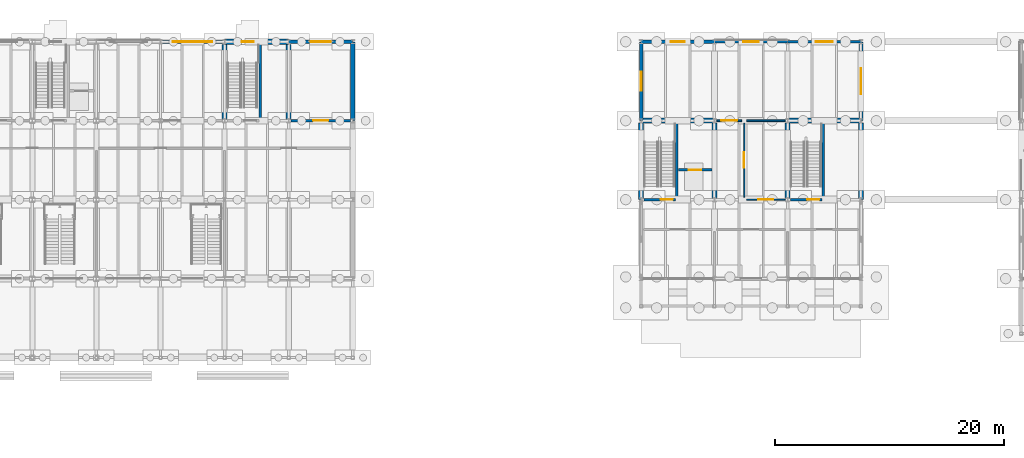
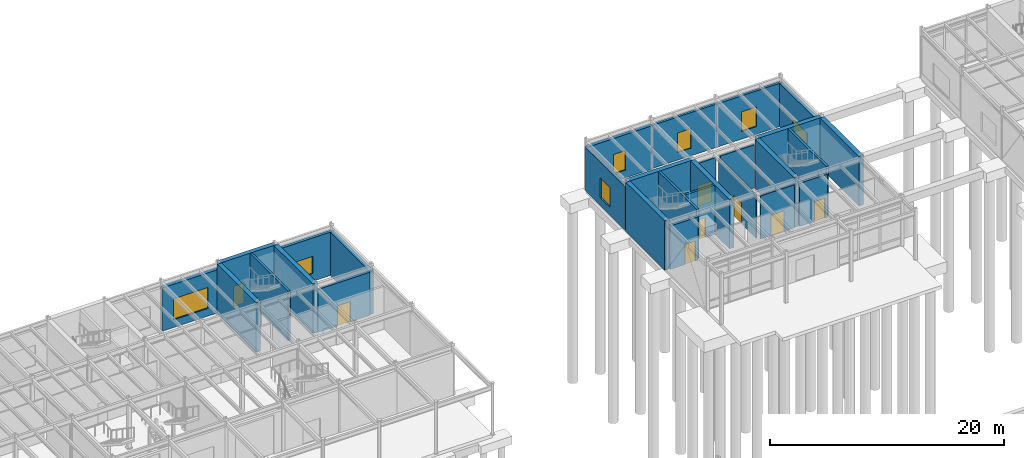
# One storey, part 72 of 82: 28 walls, 8 doors, 7 windows, 15 openings.
"""IFC4 building model written with IfcOpenShell, lengths in metres."""

from ifc_helpers import new_model, si_unit, direction, frame, frame_2d, origin, place, context, subcontext, project, spatial, rectangle, extrude, material, layer, layer_set, type_object, element, fill, save


model = new_model("IFC4")

# Units and contexts
model_context = context("Model", 3, precision=1e-05, world=origin(), true_north=direction((0.0, 1.0)))
body_context = subcontext(model_context, "Body", "Model", "MODEL_VIEW")
ifc_project = project(units=[si_unit("LENGTHUNIT", "METRE"), si_unit("AREAUNIT", "SQUARE_METRE"), si_unit("VOLUMEUNIT", "CUBIC_METRE"), si_unit("PLANEANGLEUNIT", "RADIAN"), si_unit("MASSUNIT", "GRAM", prefix="KILO")], contexts=[model_context])

# Site, building, storey
site_placement = place(None, origin())
site = spatial("IfcSite", under=ifc_project, at=site_placement, CompositionType="ELEMENT")
building_placement = place(site_placement, origin())
building = spatial("IfcBuilding", under=site, at=building_placement, Name="Trelmorton Wharf Fire Station", CompositionType="ELEMENT")
storey_placement = place(building_placement, origin())
storey = spatial("IfcBuildingStorey", under=building, at=storey_placement, Name="L00", CompositionType="ELEMENT", Elevation=0.0)

# Wall, opening, window
ifc_material_1 = material(Name="Precast concrete 45 MPa", Category="concrete")
ifc_layer_1 = layer(ifc_material_1, 0.22998046875)
ifc_layer_set_1 = layer_set([ifc_layer_1], Name="Precast concrete 45 MPa")
wall_type_1 = type_object("IfcWallType", Name="EW_PREC_230", PredefinedType="SOLIDWALL", material=ifc_layer_set_1)
wall_1_placement = place(storey_placement, frame((77.205078125, 81.0, 0.0), z_axis=(0.0, 0.0, 1.0), x_axis=(1.0, 0.0, 0.0)))
wall_1 = element("IfcWall", 1, at=wall_1_placement, inside=storey, type_object=wall_type_1, Name="EW-V2-L00-0156", PredefinedType="SOLIDWALL", context=body_context, shape_type="SweptSolid", body=[
    extrude(rectangle(XDim=6.389892578125, YDim=0.22998046875, at=frame_2d((3.19482421875, 0.0))), origin(), (0.0, 0.0, 1.0), 4.52001953125),
])
opening_1_placement = place(wall_1_placement, frame((2.52001953125, 0.0, 0.800048828125)))
opening_1 = element("IfcOpeningElement", 2, at=opening_1_placement, cuts=wall_1, Name="Opening W22", PredefinedType="OPENING", context=body_context, shape_type="SweptSolid", body=[
    extrude(rectangle(XDim=1.35009765625, YDim=2.050048828125, at=frame_2d((0.675048828125, 1.02490234375))), frame((0.0, 0.125, 0.0), z_axis=(0.0, -1.0, 0.0), x_axis=(1.0, 0.0, 0.0)), (0.0, 0.0, 1.0), 0.25),
])
ifc_material_2 = material(Name="Tempered low-E double glazing", Category="glass")
window_type_1 = type_object("IfcWindowType", Name="WIN_W22", PartitioningType="SINGLE_PANEL", PredefinedType="WINDOW", material=ifc_material_2)
window_1_placement = place(opening_1_placement, origin())
window_1 = element("IfcWindow", 3, at=window_1_placement, inside=storey, type_object=window_type_1, Name="WN-V2-L00-0084", OverallHeight=2.050048828125, OverallWidth=1.35009765625, PartitioningType="SINGLE_PANEL", PredefinedType="WINDOW", context=body_context, shape_type="SweptSolid", body=[
    extrude(rectangle(XDim=1.35009765625, YDim=2.050048828125, at=frame_2d((0.675048828125, 1.02490234375))), frame((0.0, 0.030029296875, 0.0), z_axis=(0.0, -1.0, 0.0), x_axis=(1.0, 0.0, 0.0)), (0.0, 0.0, 1.0), 0.06005859375),
])
fill(opening_1, window_1)

ifc_layer_2 = layer(ifc_material_1, 0.25)
ifc_layer_set_2 = layer_set([ifc_layer_2], Name="Precast concrete 45 MPa")
wall_type_2 = type_object("IfcWallType", Name="EW_PREC_250", PredefinedType="SOLIDWALL", material=ifc_layer_set_2)
wall_2_placement = place(storey_placement, frame((83.60498046875, 81.0, 0.0), z_axis=(0.0, 0.0, 1.0), x_axis=(1.0, 0.0, 0.0)))
wall_2 = element("IfcWall", 4, at=wall_2_placement, inside=storey, type_object=wall_type_2, Name="EW-V2-L00-0157", PredefinedType="SOLIDWALL", context=body_context, shape_type="SweptSolid", body=[
    extrude(rectangle(XDim=6.39013671875, YDim=0.25, at=frame_2d((3.195068359375, 0.0))), origin(), (0.0, 0.0, 1.0), 4.52001953125),
])
opening_2_placement = place(wall_2_placement, frame((2.445068359375, 0.0, 0.800048828125)))
opening_2 = element("IfcOpeningElement", 5, at=opening_2_placement, cuts=wall_2, Name="Opening W23", PredefinedType="OPENING", context=body_context, shape_type="SweptSolid", body=[
    extrude(rectangle(XDim=1.5, YDim=2.050048828125, at=frame_2d((0.75, 1.02490234375))), frame((0.0, 0.135009765625, 0.0), z_axis=(0.0, -1.0, 0.0), x_axis=(1.0, 0.0, 0.0)), (0.0, 0.0, 1.0), 0.27001953125),
])
window_type_2 = type_object("IfcWindowType", Name="WIN_W23", PartitioningType="SINGLE_PANEL", PredefinedType="WINDOW", material=ifc_material_2)
window_2_placement = place(opening_2_placement, origin())
window_2 = element("IfcWindow", 6, at=window_2_placement, inside=storey, type_object=window_type_2, Name="WN-V2-L00-0085", OverallHeight=2.050048828125, OverallWidth=1.5, PartitioningType="SINGLE_PANEL", PredefinedType="WINDOW", context=body_context, shape_type="SweptSolid", body=[
    extrude(rectangle(XDim=1.5, YDim=2.050048828125, at=frame_2d((0.75, 1.02490234375))), frame((0.0, 0.030029296875, 0.0), z_axis=(0.0, -1.0, 0.0), x_axis=(1.0, 0.0, 0.0)), (0.0, 0.0, 1.0), 0.06005859375),
])
fill(opening_2, window_2)

ifc_layer_3 = layer(ifc_material_1, 0.27001953125)
ifc_layer_set_3 = layer_set([ifc_layer_3], Name="Precast concrete 45 MPa")
wall_type_3 = type_object("IfcWallType", Name="EW_PREC_270", PredefinedType="SOLIDWALL", material=ifc_layer_set_3)
wall_3_placement = place(storey_placement, frame((40.0048828125, 81.0, 0.0), z_axis=(0.0, 0.0, 1.0), x_axis=(1.0, 0.0, 0.0)))
wall_3 = element("IfcWall", 7, at=wall_3_placement, inside=storey, type_object=wall_type_3, Name="EW-V6-L00-0134", PredefinedType="SOLIDWALL", context=body_context, shape_type="SweptSolid", body=[
    extrude(rectangle(XDim=5.590087890625, YDim=0.27001953125, at=frame_2d((2.794921875, 0.0))), origin(), (0.0, 0.0, 1.0), 4.52001953125),
])
opening_3_placement = place(wall_3_placement, frame((1.919921875, 0.0, 0.800048828125)))
opening_3 = element("IfcOpeningElement", 8, at=opening_3_placement, cuts=wall_3, Name="Opening W09", PredefinedType="OPENING", context=body_context, shape_type="SweptSolid", body=[
    extrude(rectangle(XDim=1.75, YDim=1.800048828125, at=frame_2d((0.875, 0.89990234375))), frame((0.0, 0.14501953125, 0.0), z_axis=(0.0, -1.0, 0.0), x_axis=(1.0, 0.0, 0.0)), (0.0, 0.0, 1.0), 0.2900390625),
])
window_type_3 = type_object("IfcWindowType", Name="WIN_W09", PartitioningType="DOUBLE_PANEL_VERTICAL", PredefinedType="WINDOW", material=ifc_material_2)
window_3_placement = place(opening_3_placement, origin())
window_3 = element("IfcWindow", 9, at=window_3_placement, inside=storey, type_object=window_type_3, Name="WN-V6-L00-0071", OverallHeight=1.800048828125, OverallWidth=1.75, PartitioningType="DOUBLE_PANEL_VERTICAL", PredefinedType="WINDOW", context=body_context, shape_type="SweptSolid", body=[
    extrude(rectangle(XDim=1.75, YDim=1.800048828125, at=frame_2d((0.875, 0.89990234375))), frame((0.0, 0.030029296875, 0.0), z_axis=(0.0, -1.0, 0.0), x_axis=(1.0, 0.0, 0.0)), (0.0, 0.0, 1.0), 0.06005859375),
])
fill(opening_3, window_3)

# Wall
ifc_material_3 = material(Name="Clay brickwork masonry", Category="masonry")
ifc_layer_4 = layer(ifc_material_3, 0.3798828125)
ifc_layer_set_4 = layer_set([ifc_layer_4], Name="Clay brickwork masonry")
wall_type_4 = type_object("IfcWallType", Name="EW_SMOK_380", PredefinedType="SOLIDWALL", material=ifc_layer_set_4)
wall_4_placement = place(storey_placement, frame((45.60009765625, 80.9951171875, 0.0), z_axis=(0.0, 0.0, 1.0), x_axis=(0.0, -1.0, 0.0)))
element("IfcWall", 10, at=wall_4_placement, inside=storey, type_object=wall_type_4, Name="EW-V6-L00-0140", PredefinedType="SOLIDWALL", context=body_context, shape_type="SweptSolid", body=[
    extrude(rectangle(XDim=6.89013671875, YDim=0.3798828125, at=frame_2d((3.445068359375, 0.0))), origin(), (0.0, 0.0, 1.0), 4.52001953125),
])

# Wall, opening, window
ifc_layer_5 = layer(ifc_material_1, 0.31005859375)
ifc_layer_set_5 = layer_set([ifc_layer_5], Name="Precast concrete 45 MPa")
wall_type_5 = type_object("IfcWallType", Name="EW_TERR_310", PredefinedType="SOLIDWALL", material=ifc_layer_set_5)
wall_5_placement = place(storey_placement, frame((70.804931640625, 81.0, 0.0), z_axis=(0.0, 0.0, 1.0), x_axis=(1.0, 0.0, 0.0)))
wall_5 = element("IfcWall", 11, at=wall_5_placement, inside=storey, type_object=wall_type_5, Name="EW-V2-L00-0154", PredefinedType="SOLIDWALL", context=body_context, shape_type="SweptSolid", body=[
    extrude(rectangle(XDim=6.39013671875, YDim=0.31005859375, at=frame_2d((3.195068359375, 0.0))), origin(), (0.0, 0.0, 1.0), 4.52001953125),
])
opening_4_placement = place(wall_5_placement, frame((2.594970703125, 0.0, 0.800048828125)))
opening_4 = element("IfcOpeningElement", 12, at=opening_4_placement, cuts=wall_5, Name="Opening W21", PredefinedType="OPENING", context=body_context, shape_type="SweptSolid", body=[
    extrude(rectangle(XDim=1.199951171875, YDim=2.050048828125, at=frame_2d((0.60009765625, 1.02490234375))), frame((0.0, 0.1650390625, 0.0), z_axis=(0.0, -1.0, 0.0), x_axis=(1.0, 0.0, 0.0)), (0.0, 0.0, 1.0), 0.330078125),
])
window_type_4 = type_object("IfcWindowType", Name="WIN_W21", PartitioningType="SINGLE_PANEL", PredefinedType="WINDOW", material=ifc_material_2)
window_4_placement = place(opening_4_placement, origin())
window_4 = element("IfcWindow", 13, at=window_4_placement, inside=storey, type_object=window_type_4, Name="WN-V2-L00-0083", OverallHeight=2.050048828125, OverallWidth=1.199951171875, PartitioningType="SINGLE_PANEL", PredefinedType="WINDOW", context=body_context, shape_type="SweptSolid", body=[
    extrude(rectangle(XDim=1.199951171875, YDim=2.050048828125, at=frame_2d((0.60009765625, 1.02490234375))), frame((0.0, 0.030029296875, 0.0), z_axis=(0.0, -1.0, 0.0), x_axis=(1.0, 0.0, 0.0)), (0.0, 0.0, 1.0), 0.06005859375),
])
fill(opening_4, window_4)

wall_6_placement = place(storey_placement, frame((70.800048828125, 74.10498046875, 0.0), z_axis=(0.0, 0.0, 1.0), x_axis=(0.0, 1.0, 0.0)))
wall_6 = element("IfcWall", 14, at=wall_6_placement, inside=storey, type_object=wall_type_5, Name="EW-V2-L00-0160", PredefinedType="SOLIDWALL", context=body_context, shape_type="SweptSolid", body=[
    extrude(rectangle(XDim=6.89013671875, YDim=0.31005859375, at=frame_2d((3.445068359375, 0.0))), origin(), (0.0, 0.0, 1.0), 4.52001953125),
])
opening_5_placement = place(wall_6_placement, frame((2.6201171875, 0.0, 0.800048828125)))
opening_5 = element("IfcOpeningElement", 15, at=opening_5_placement, cuts=wall_6, Name="Opening W24", PredefinedType="OPENING", context=body_context, shape_type="SweptSolid", body=[
    extrude(rectangle(XDim=1.64990234375, YDim=2.050048828125, at=frame_2d((0.824951171875, 1.02490234375))), frame((0.0, 0.1650390625, 0.0), z_axis=(0.0, -1.0, 0.0), x_axis=(1.0, 0.0, 0.0)), (0.0, 0.0, 1.0), 0.330078125),
])
window_type_5 = type_object("IfcWindowType", Name="WIN_W24", PartitioningType="DOUBLE_PANEL_VERTICAL", PredefinedType="WINDOW", material=ifc_material_2)
window_5_placement = place(opening_5_placement, origin())
window_5 = element("IfcWindow", 16, at=window_5_placement, inside=storey, type_object=window_type_5, Name="WN-V2-L00-0086", OverallHeight=2.050048828125, OverallWidth=1.64990234375, PartitioningType="DOUBLE_PANEL_VERTICAL", PredefinedType="WINDOW", context=body_context, shape_type="SweptSolid", body=[
    extrude(rectangle(XDim=1.64990234375, YDim=2.050048828125, at=frame_2d((0.824951171875, 1.02490234375))), frame((0.0, 0.030029296875, 0.0), z_axis=(0.0, -1.0, 0.0), x_axis=(1.0, 0.0, 0.0)), (0.0, 0.0, 1.0), 0.06005859375),
])
fill(opening_5, window_5)

ifc_layer_6 = layer(ifc_material_1, 0.330078125)
ifc_layer_set_6 = layer_set([ifc_layer_6], Name="Precast concrete 45 MPa")
wall_type_6 = type_object("IfcWallType", Name="EW_TERR_330", PredefinedType="SOLIDWALL", material=ifc_layer_set_6)
wall_7_placement = place(storey_placement, frame((28.804931640625, 81.0, 0.0), z_axis=(0.0, 0.0, 1.0), x_axis=(1.0, 0.0, 0.0)))
wall_7 = element("IfcWall", 17, at=wall_7_placement, inside=storey, type_object=wall_type_6, Name="EW-V6-L00-0131", PredefinedType="SOLIDWALL", context=body_context, shape_type="SweptSolid", body=[
    extrude(rectangle(XDim=5.590087890625, YDim=0.330078125, at=frame_2d((2.794921875, 0.0))), origin(), (0.0, 0.0, 1.0), 4.52001953125),
])
opening_6_placement = place(wall_7_placement, frame((1.070068359375, 0.0, 0.800048828125)))
opening_6 = element("IfcOpeningElement", 18, at=opening_6_placement, cuts=wall_7, Name="Opening W08", PredefinedType="OPENING", context=body_context, shape_type="SweptSolid", body=[
    extrude(rectangle(XDim=3.449951171875, YDim=2.199951171875, at=frame_2d((1.72509765625, 1.10009765625))), frame((0.0, 0.175048828125, 0.0), z_axis=(0.0, -1.0, 0.0), x_axis=(1.0, 0.0, 0.0)), (0.0, 0.0, 1.0), 0.35009765625),
])
window_type_6 = type_object("IfcWindowType", Name="WIN_W08", PartitioningType="TRIPLE_PANEL_VERTICAL", PredefinedType="WINDOW", material=ifc_material_2)
window_6_placement = place(opening_6_placement, origin())
window_6 = element("IfcWindow", 19, at=window_6_placement, inside=storey, type_object=window_type_6, Name="WN-V6-L00-0070", OverallHeight=2.199951171875, OverallWidth=3.449951171875, PartitioningType="TRIPLE_PANEL_VERTICAL", PredefinedType="WINDOW", context=body_context, shape_type="SweptSolid", body=[
    extrude(rectangle(XDim=3.449951171875, YDim=2.199951171875, at=frame_2d((1.72509765625, 1.10009765625))), frame((0.0, 0.030029296875, 0.0), z_axis=(0.0, -1.0, 0.0), x_axis=(1.0, 0.0, 0.0)), (0.0, 0.0, 1.0), 0.06005859375),
])
fill(opening_6, window_6)

wall_8_placement = place(storey_placement, frame((90.0, 80.9951171875, 0.0), z_axis=(0.0, 0.0, 1.0), x_axis=(0.0, -1.0, 0.0)))
wall_8 = element("IfcWall", 20, at=wall_8_placement, inside=storey, type_object=wall_type_6, Name="EW-V2-L00-0161", PredefinedType="SOLIDWALL", context=body_context, shape_type="SweptSolid", body=[
    extrude(rectangle(XDim=6.89013671875, YDim=0.330078125, at=frame_2d((3.445068359375, 0.0))), origin(), (0.0, 0.0, 1.0), 4.52001953125),
])
opening_7_placement = place(wall_8_placement, frame((2.294921875, 0.0, 0.800048828125)))
opening_7 = element("IfcOpeningElement", 21, at=opening_7_placement, cuts=wall_8, Name="Opening W25", PredefinedType="OPENING", context=body_context, shape_type="SweptSolid", body=[
    extrude(rectangle(XDim=2.300048828125, YDim=1.14990234375, at=frame_2d((1.14990234375, 0.574951171875))), frame((0.0, 0.175048828125, 0.0), z_axis=(0.0, -1.0, 0.0), x_axis=(1.0, 0.0, 0.0)), (0.0, 0.0, 1.0), 0.35009765625),
])
window_type_7 = type_object("IfcWindowType", Name="WIN_W25", PartitioningType="DOUBLE_PANEL_VERTICAL", PredefinedType="WINDOW", material=ifc_material_2)
window_7_placement = place(opening_7_placement, origin())
window_7 = element("IfcWindow", 22, at=window_7_placement, inside=storey, type_object=window_type_7, Name="WN-V2-L00-0087", OverallHeight=1.14990234375, OverallWidth=2.300048828125, PartitioningType="DOUBLE_PANEL_VERTICAL", PredefinedType="WINDOW", context=body_context, shape_type="SweptSolid", body=[
    extrude(rectangle(XDim=2.300048828125, YDim=1.14990234375, at=frame_2d((1.14990234375, 0.574951171875))), frame((0.0, 0.030029296875, 0.0), z_axis=(0.0, -1.0, 0.0), x_axis=(1.0, 0.0, 0.0)), (0.0, 0.0, 1.0), 0.06005859375),
])
fill(opening_7, window_7)

# Wall
ifc_material_4 = material(Name="Gypsum plasterboard partition")
ifc_layer_7 = layer(ifc_material_4, 0.14990234375)
ifc_layer_set_7 = layer_set([ifc_layer_7], Name="Gypsum plasterboard partition")
wall_type_7 = type_object("IfcWallType", Name="IW_ACOU_150", PredefinedType="PARTITIONING", material=ifc_layer_set_7)
wall_9_placement = place(storey_placement, frame((80.02001953125, 74.10009765625, 0.0), z_axis=(0.0, 0.0, 1.0), x_axis=(1.0, 0.0, 0.0)))
element("IfcWall", 23, at=wall_9_placement, inside=storey, type_object=wall_type_7, Name="IW-L00-0051", PredefinedType="PARTITIONING", context=body_context, shape_type="SweptSolid", body=[
    extrude(rectangle(XDim=3.35986328125, YDim=0.14990234375, at=frame_2d((1.679931640625, 0.0))), origin(), (0.0, 0.0, 1.0), 4.5),
])

# Wall, opening, door
ifc_layer_8 = layer(ifc_material_4, 0.159912109375)
ifc_layer_set_8 = layer_set([ifc_layer_8], Name="Gypsum plasterboard partition")
wall_type_8 = type_object("IfcWallType", Name="IW_ACOU_160", PredefinedType="PARTITIONING", material=ifc_layer_set_8)
wall_10_placement = place(storey_placement, frame((77.419921875, 74.10009765625, 0.0), z_axis=(0.0, 0.0, 1.0), x_axis=(1.0, 0.0, 0.0)))
wall_10 = element("IfcWall", 24, at=wall_10_placement, inside=storey, type_object=wall_type_8, Name="IW-L00-0050", PredefinedType="PARTITIONING", context=body_context, shape_type="SweptSolid", body=[
    extrude(rectangle(XDim=2.16015625, YDim=0.159912109375, at=frame_2d((1.080078125, 0.0))), origin(), (0.0, 0.0, 1.0), 4.5),
])
opening_8_placement = place(wall_10_placement, frame((0.3701171875, 0.0, 0.0)))
opening_8 = element("IfcOpeningElement", 25, at=opening_8_placement, cuts=wall_10, Name="Opening D-035", PredefinedType="OPENING", context=body_context, shape_type="SweptSolid", body=[
    extrude(rectangle(XDim=1.419921875, YDim=2.14990234375, at=frame_2d((0.7099609375, 1.074951171875))), frame((0.0, 0.08984375, 0.0), z_axis=(0.0, -1.0, 0.0), x_axis=(1.0, 0.0, 0.0)), (0.0, 0.0, 1.0), 0.179931640625),
])
ifc_material_5 = material(Name="Acoustic timber panelling", Category="wood")
door_type_1 = type_object("IfcDoorType", Name="DR_INT_142", OperationType="DOUBLE_DOOR_SINGLE_SWING", PredefinedType="DOOR", material=ifc_material_5)
door_1_placement = place(opening_8_placement, origin())
door_1 = element("IfcDoor", 26, at=door_1_placement, inside=storey, type_object=door_type_1, Name="Interior Door D-035", OperationType="DOUBLE_DOOR_SINGLE_SWING", OverallHeight=2.14990234375, OverallWidth=1.419921875, PredefinedType="DOOR", context=body_context, shape_type="SweptSolid", body=[
    extrude(rectangle(XDim=1.419921875, YDim=2.14990234375, at=frame_2d((0.7099609375, 1.074951171875))), frame((0.0, 0.02490234375, 0.0), z_axis=(0.0, -1.0, 0.0), x_axis=(1.0, 0.0, 0.0)), (0.0, 0.0, 1.0), 0.050048828125),
])
fill(opening_8, door_1)

# Walls
ifc_material_6 = material(Name="Concrete 40 MPa", Category="concrete")
ifc_layer_9 = layer(ifc_material_6, 0.219970703125)
ifc_layer_set_9 = layer_set([ifc_layer_9], Name="Concrete 40 MPa")
wall_type_9 = type_object("IfcWallType", Name="IW_CORE_220", PredefinedType="SOLIDWALL", material=ifc_layer_set_9)
for number, where, z_axis, x_axis, name in (
    (27, (37.52001953125, 74.219970703125, 0.0), (0.0, 0.0, 1.0), (0.0, 1.0, 0.0), "IW-C5B-DIV-L00"),
    (28, (73.919921875, 67.320068359375, 0.0), (0.0, 0.0, 1.0), (0.0, 1.0, 0.0), "IW-C6-DIV-L00"),
):
    element("IfcWall", number, at=place(storey_placement, frame(where, z_axis=z_axis, x_axis=x_axis)), inside=storey, type_object=wall_type_9, Name=name, PredefinedType="SOLIDWALL", context=body_context, shape_type="SweptSolid", body=[
        extrude(rectangle(XDim=6.554931640625, YDim=0.219970703125, at=frame_2d((3.27734375, 0.0))), origin(), (0.0, 0.0, 1.0), 5.159912109375),
    ])

# Wall, opening, door
wall_11_placement = place(storey_placement, frame((71.06005859375, 67.199951171875, 0.0), z_axis=(0.0, 0.0, 1.0), x_axis=(1.0, 0.0, 0.0)))
wall_11 = element("IfcWall", 29, at=wall_11_placement, inside=storey, type_object=wall_type_9, Name="IW-C6-SF-L00", PredefinedType="SOLIDWALL", context=body_context, shape_type="SweptSolid", body=[
    extrude(rectangle(XDim=2.739990234375, YDim=0.219970703125, at=frame_2d((1.3701171875, 0.0))), origin(), (0.0, 0.0, 1.0), 4.52001953125),
])
opening_9_placement = place(wall_11_placement, frame((1.43994140625, 0.0, 0.0)))
opening_9 = element("IfcOpeningElement", 30, at=opening_9_placement, cuts=wall_11, Name="Opening FD-028", PredefinedType="OPENING", context=body_context, shape_type="SweptSolid", body=[
    extrude(rectangle(XDim=1.06005859375, YDim=2.10009765625, at=frame_2d((0.530029296875, 1.050048828125))), frame((0.0, 0.1201171875, 0.0), z_axis=(0.0, -1.0, 0.0), x_axis=(1.0, 0.0, 0.0)), (0.0, 0.0, 1.0), 0.239990234375),
])
ifc_material_7 = material(Name="Stainless steel 316 marine grade", Category="steel")
door_type_2 = type_object("IfcDoorType", Name="DR_FIRE_106", OperationType="NOTDEFINED", PredefinedType="DOOR", material=ifc_material_7)
door_2_placement = place(opening_9_placement, origin())
door_2 = element("IfcDoor", 31, at=door_2_placement, inside=storey, type_object=door_type_2, Name="Stair Fire Door FD-028", OperationType="SINGLE_SWING_RIGHT", OverallHeight=2.10009765625, OverallWidth=1.06005859375, PredefinedType="DOOR", context=body_context, shape_type="SweptSolid", body=[
    extrude(rectangle(XDim=1.06005859375, YDim=2.10009765625, at=frame_2d((0.530029296875, 1.050048828125))), frame((0.0, 0.02490234375, 0.0), z_axis=(0.0, -1.0, 0.0), x_axis=(1.0, 0.0, 0.0)), (0.0, 0.0, 1.0), 0.050048828125),
])
fill(opening_9, door_2)

wall_12_placement = place(storey_placement, frame((74.0400390625, 69.800048828125, 0.0), z_axis=(0.0, 0.0, 1.0), x_axis=(1.0, 0.0, 0.0)))
wall_12 = element("IfcWall", 32, at=wall_12_placement, inside=storey, type_object=wall_type_9, Name="IW-C6-LSH-L00", PredefinedType="SOLIDWALL", context=body_context, shape_type="SweptSolid", body=[
    extrude(rectangle(XDim=2.93505859375, YDim=0.219970703125, at=frame_2d((1.467529296875, 0.0))), origin(), (0.0, 0.0, 1.0), 5.159912109375),
])
opening_10_placement = place(wall_12_placement, frame((0.91748046875, 0.0, 0.0)))
opening_10 = element("IfcOpeningElement", 33, at=opening_10_placement, cuts=wall_12, Name="Opening LD-026", PredefinedType="OPENING", context=body_context, shape_type="SweptSolid", body=[
    extrude(rectangle(XDim=1.10009765625, YDim=2.10009765625, at=frame_2d((0.550048828125, 1.050048828125))), frame((0.0, 0.1201171875, 0.0), z_axis=(0.0, -1.0, 0.0), x_axis=(1.0, 0.0, 0.0)), (0.0, 0.0, 1.0), 0.239990234375),
])
door_type_3 = type_object("IfcDoorType", Name="DR_LIFT_110", OperationType="DOUBLE_DOOR_SLIDING", PredefinedType="DOOR", material=ifc_material_7)
door_3_placement = place(opening_10_placement, origin())
door_3 = element("IfcDoor", 34, at=door_3_placement, inside=storey, type_object=door_type_3, Name="Lift Landing Door LD-026", OperationType="DOUBLE_DOOR_SLIDING", OverallHeight=2.10009765625, OverallWidth=1.10009765625, PredefinedType="DOOR", context=body_context, shape_type="SweptSolid", body=[
    extrude(rectangle(XDim=1.10009765625, YDim=2.10009765625, at=frame_2d((0.550048828125, 1.050048828125))), frame((0.0, 0.02490234375, 0.0), z_axis=(0.0, -1.0, 0.0), x_axis=(1.0, 0.0, 0.0)), (0.0, 0.0, 1.0), 0.050048828125),
])
fill(opening_10, door_3)

# Wall
wall_13_placement = place(storey_placement, frame((86.719970703125, 67.320068359375, 0.0), z_axis=(0.0, 0.0, 1.0), x_axis=(0.0, 1.0, 0.0)))
element("IfcWall", 35, at=wall_13_placement, inside=storey, type_object=wall_type_9, Name="IW-C6B-DIV-L00", PredefinedType="SOLIDWALL", context=body_context, shape_type="SweptSolid", body=[
    extrude(rectangle(XDim=6.554931640625, YDim=0.219970703125, at=frame_2d((3.27734375, 0.0))), origin(), (0.0, 0.0, 1.0), 5.159912109375),
])

# Wall, opening, door
wall_14_placement = place(storey_placement, frame((83.860107421875, 67.199951171875, 0.0), z_axis=(0.0, 0.0, 1.0), x_axis=(1.0, 0.0, 0.0)))
wall_14 = element("IfcWall", 36, at=wall_14_placement, inside=storey, type_object=wall_type_9, Name="IW-C6B-SF-L00", PredefinedType="SOLIDWALL", context=body_context, shape_type="SweptSolid", body=[
    extrude(rectangle(XDim=2.739990234375, YDim=0.219970703125, at=frame_2d((1.3701171875, 0.0))), origin(), (0.0, 0.0, 1.0), 4.52001953125),
])
opening_11_placement = place(wall_14_placement, frame((1.43994140625, 0.0, 0.0)))
opening_11 = element("IfcOpeningElement", 37, at=opening_11_placement, cuts=wall_14, Name="Opening FD-035", PredefinedType="OPENING", context=body_context, shape_type="SweptSolid", body=[
    extrude(rectangle(XDim=1.06005859375, YDim=2.10009765625, at=frame_2d((0.530029296875, 1.050048828125))), frame((0.0, 0.1201171875, 0.0), z_axis=(0.0, -1.0, 0.0), x_axis=(1.0, 0.0, 0.0)), (0.0, 0.0, 1.0), 0.239990234375),
])
door_4_placement = place(opening_11_placement, origin())
door_4 = element("IfcDoor", 38, at=door_4_placement, inside=storey, type_object=door_type_2, Name="Stair Fire Door FD-035", OperationType="SINGLE_SWING_LEFT", OverallHeight=2.10009765625, OverallWidth=1.06005859375, PredefinedType="DOOR", context=body_context, shape_type="SweptSolid", body=[
    extrude(rectangle(XDim=1.06005859375, YDim=2.10009765625, at=frame_2d((0.530029296875, 1.050048828125))), frame((0.0, 0.02490234375, 0.0), z_axis=(0.0, -1.0, 0.0), x_axis=(1.0, 0.0, 0.0)), (0.0, 0.0, 1.0), 0.050048828125),
])
fill(opening_11, door_4)

ifc_layer_10 = layer(ifc_material_1, 0.199951171875)
ifc_layer_set_10 = layer_set([ifc_layer_10], Name="Precast concrete 45 MPa")
wall_type_10 = type_object("IfcWallType", Name="IW_FIRE_200", PredefinedType="PARTITIONING", material=ifc_layer_set_10)
wall_15_placement = place(storey_placement, frame((40.219970703125, 74.10009765625, 0.0), z_axis=(0.0, 0.0, 1.0), x_axis=(1.0, 0.0, 0.0)))
wall_15 = element("IfcWall", 39, at=wall_15_placement, inside=storey, type_object=wall_type_10, Name="IW-L00-0041", PredefinedType="PARTITIONING", context=body_context, shape_type="SweptSolid", body=[
    extrude(rectangle(XDim=5.159912109375, YDim=0.199951171875, at=frame_2d((2.580078125, 0.0))), origin(), (0.0, 0.0, 1.0), 4.5),
])
opening_12_placement = place(wall_15_placement, frame((1.919921875, 0.0, 0.0)))
opening_12 = element("IfcOpeningElement", 40, at=opening_12_placement, cuts=wall_15, Name="Opening D-029", PredefinedType="OPENING", context=body_context, shape_type="SweptSolid", body=[
    extrude(rectangle(XDim=1.320068359375, YDim=2.1201171875, at=frame_2d((0.66015625, 1.06005859375))), frame((0.0, 0.10986328125, 0.0), z_axis=(0.0, -1.0, 0.0), x_axis=(1.0, 0.0, 0.0)), (0.0, 0.0, 1.0), 0.219970703125),
])
door_type_4 = type_object("IfcDoorType", Name="DR_FIRE_132", OperationType="NOTDEFINED", PredefinedType="DOOR", material=ifc_material_7)
door_5_placement = place(opening_12_placement, origin())
door_5 = element("IfcDoor", 41, at=door_5_placement, inside=storey, type_object=door_type_4, Name="Interior Door D-029", OperationType="SINGLE_SWING_RIGHT", OverallHeight=2.1201171875, OverallWidth=1.320068359375, PredefinedType="DOOR", context=body_context, shape_type="SweptSolid", body=[
    extrude(rectangle(XDim=1.320068359375, YDim=2.1201171875, at=frame_2d((0.66015625, 1.06005859375))), frame((0.0, 0.02490234375, 0.0), z_axis=(0.0, -1.0, 0.0), x_axis=(1.0, 0.0, 0.0)), (0.0, 0.0, 1.0), 0.050048828125),
])
fill(opening_12, door_5)

ifc_layer_11 = layer(ifc_material_4, 0.10009765625)
ifc_layer_set_11 = layer_set([ifc_layer_11], Name="Gypsum plasterboard partition")
wall_type_11 = type_object("IfcWallType", Name="IW_PART_100", PredefinedType="PARTITIONING", material=ifc_layer_set_11)
wall_16_placement = place(storey_placement, frame((79.800048828125, 67.419921875, 0.0), z_axis=(0.0, 0.0, 1.0), x_axis=(0.0, 1.0, 0.0)))
wall_16 = element("IfcWall", 42, at=wall_16_placement, inside=storey, type_object=wall_type_11, Name="IW-L00-0049", PredefinedType="PARTITIONING", context=body_context, shape_type="SweptSolid", body=[
    extrude(rectangle(XDim=6.4599609375, YDim=0.10009765625, at=frame_2d((3.22998046875, 0.0))), origin(), (0.0, 0.0, 1.0), 4.5),
])
opening_13_placement = place(wall_16_placement, frame((2.550048828125, 0.0, 0.0)))
opening_13 = element("IfcOpeningElement", 43, at=opening_13_placement, cuts=wall_16, Name="Opening D-034", PredefinedType="OPENING", context=body_context, shape_type="SweptSolid", body=[
    extrude(rectangle(XDim=1.360107421875, YDim=2.14990234375, at=frame_2d((0.68017578125, 1.074951171875))), frame((0.0, 0.06005859375, 0.0), z_axis=(0.0, -1.0, 0.0), x_axis=(1.0, 0.0, 0.0)), (0.0, 0.0, 1.0), 0.1201171875),
])
door_type_5 = type_object("IfcDoorType", Name="DR_INT_136", OperationType="DOUBLE_DOOR_SINGLE_SWING", PredefinedType="DOOR", material=ifc_material_5)
door_6_placement = place(opening_13_placement, origin())
door_6 = element("IfcDoor", 44, at=door_6_placement, inside=storey, type_object=door_type_5, Name="Interior Door D-034", OperationType="DOUBLE_DOOR_SINGLE_SWING", OverallHeight=2.14990234375, OverallWidth=1.360107421875, PredefinedType="DOOR", context=body_context, shape_type="SweptSolid", body=[
    extrude(rectangle(XDim=1.360107421875, YDim=2.14990234375, at=frame_2d((0.68017578125, 1.074951171875))), frame((0.0, 0.02490234375, 0.0), z_axis=(0.0, -1.0, 0.0), x_axis=(1.0, 0.0, 0.0)), (0.0, 0.0, 1.0), 0.050048828125),
])
fill(opening_13, door_6)

ifc_layer_12 = layer(ifc_material_4, 0.110107421875)
ifc_layer_set_12 = layer_set([ifc_layer_12], Name="Gypsum plasterboard partition")
wall_type_12 = type_object("IfcWallType", Name="IW_PART_110", PredefinedType="PARTITIONING", material=ifc_layer_set_12)
wall_17_placement = place(storey_placement, frame((80.02001953125, 67.199951171875, 0.0), z_axis=(0.0, 0.0, 1.0), x_axis=(1.0, 0.0, 0.0)))
wall_17 = element("IfcWall", 45, at=wall_17_placement, inside=storey, type_object=wall_type_12, Name="IW-L00-0048", PredefinedType="PARTITIONING", context=body_context, shape_type="SweptSolid", body=[
    extrude(rectangle(XDim=3.35986328125, YDim=0.110107421875, at=frame_2d((1.679931640625, 0.0))), origin(), (0.0, 0.0, 1.0), 4.5),
])
opening_14_placement = place(wall_17_placement, frame((1.02490234375, 0.0, 0.0)))
opening_14 = element("IfcOpeningElement", 46, at=opening_14_placement, cuts=wall_17, Name="Opening D-033", PredefinedType="OPENING", context=body_context, shape_type="SweptSolid", body=[
    extrude(rectangle(XDim=1.31005859375, YDim=2.139892578125, at=frame_2d((0.655029296875, 1.06982421875))), frame((0.0, 0.06494140625, 0.0), z_axis=(0.0, -1.0, 0.0), x_axis=(1.0, 0.0, 0.0)), (0.0, 0.0, 1.0), 0.130126953125),
])
door_type_6 = type_object("IfcDoorType", Name="DR_INT_131", OperationType="NOTDEFINED", PredefinedType="DOOR", material=ifc_material_5)
door_7_placement = place(opening_14_placement, origin())
door_7 = element("IfcDoor", 47, at=door_7_placement, inside=storey, type_object=door_type_6, Name="Interior Door D-033", OperationType="SINGLE_SWING_RIGHT", OverallHeight=2.139892578125, OverallWidth=1.31005859375, PredefinedType="DOOR", context=body_context, shape_type="SweptSolid", body=[
    extrude(rectangle(XDim=1.31005859375, YDim=2.139892578125, at=frame_2d((0.655029296875, 1.06982421875))), frame((0.0, 0.02490234375, 0.0), z_axis=(0.0, -1.0, 0.0), x_axis=(1.0, 0.0, 0.0)), (0.0, 0.0, 1.0), 0.050048828125),
])
fill(opening_14, door_7)

ifc_material_8 = material(Name="Concrete 50 MPa", Category="concrete")
ifc_layer_13 = layer(ifc_material_8, 0.43994140625)
ifc_layer_set_13 = layer_set([ifc_layer_13], Name="Concrete 50 MPa")
wall_type_13 = type_object("IfcWallType", Name="WL_CORE_440", PredefinedType="SHEAR", material=ifc_layer_set_13)
wall_18_placement = place(storey_placement, frame((34.39990234375, 81.0, 0.0), z_axis=(0.0, 0.0, 1.0), x_axis=(1.0, 0.0, 0.0)))
wall_18 = element("IfcWall", 48, at=wall_18_placement, inside=storey, type_object=wall_type_13, Name="WL-SW-C5B-L00-076", PredefinedType="SHEAR", context=body_context, shape_type="SweptSolid", body=[
    extrude(rectangle(XDim=5.60009765625, YDim=0.43994140625, at=frame_2d((2.800048828125, 0.0))), origin(), (0.0, 0.0, 1.0), 5.159912109375),
])
opening_15_placement = place(wall_18_placement, frame((1.47998046875, 0.0, 0.0)))
opening_15 = element("IfcOpeningElement", 49, at=opening_15_placement, cuts=wall_18, Name="Opening E-106", PredefinedType="OPENING", context=body_context, shape_type="SweptSolid", body=[
    extrude(rectangle(XDim=1.06005859375, YDim=2.1201171875, at=frame_2d((0.530029296875, 1.06005859375))), frame((0.0, 0.22998046875, 0.0), z_axis=(0.0, -1.0, 0.0), x_axis=(1.0, 0.0, 0.0)), (0.0, 0.0, 1.0), 0.4599609375),
])
door_type_7 = type_object("IfcDoorType", Name="DR_EXIT_106", OperationType="NOTDEFINED", PredefinedType="DOOR", material=ifc_material_7)
door_8_placement = place(opening_15_placement, origin())
door_8 = element("IfcDoor", 50, at=door_8_placement, inside=storey, type_object=door_type_7, Name="Final Exit Door E-106", OperationType="SINGLE_SWING_RIGHT", OverallHeight=2.1201171875, OverallWidth=1.06005859375, PredefinedType="DOOR", context=body_context, shape_type="SweptSolid", body=[
    extrude(rectangle(XDim=1.06005859375, YDim=2.1201171875, at=frame_2d((0.530029296875, 1.06005859375))), frame((0.0, 0.02490234375, 0.0), z_axis=(0.0, -1.0, 0.0), x_axis=(1.0, 0.0, 0.0)), (0.0, 0.0, 1.0), 0.050048828125),
])
fill(opening_15, door_8)

# Walls
for number, where, z_axis, x_axis, name in (
    (51, (34.39990234375, 74.10009765625, 0.0), (0.0, 0.0, 1.0), (0.0, 1.0, 0.0), "WL-SW-C5B-L00-077"),
    (52, (40.0, 74.10009765625, 0.0), (0.0, 0.0, 1.0), (0.0, 1.0, 0.0), "WL-SW-C5B-L00-078"),
):
    element("IfcWall", number, at=place(storey_placement, frame(where, z_axis=z_axis, x_axis=x_axis)), inside=storey, type_object=wall_type_13, Name=name, PredefinedType="SHEAR", context=body_context, shape_type="SweptSolid", body=[
        extrude(rectangle(XDim=6.679931640625, YDim=0.43994140625, at=frame_2d((3.33984375, 0.0))), origin(), (0.0, 0.0, 1.0), 5.159912109375),
    ])
wall_19_placement = place(storey_placement, frame((70.800048828125, 74.10009765625, 0.0), z_axis=(0.0, 0.0, 1.0), x_axis=(1.0, 0.0, 0.0)))
element("IfcWall", 53, at=wall_19_placement, inside=storey, type_object=wall_type_13, Name="WL-SW-C6-L00-082", PredefinedType="SHEAR", context=body_context, shape_type="SweptSolid", body=[
    extrude(rectangle(XDim=6.39990234375, YDim=0.43994140625, at=frame_2d((3.199951171875, 0.0))), origin(), (0.0, 0.0, 1.0), 5.159912109375),
])
for number, where, z_axis, x_axis, name in (
    (54, (70.800048828125, 67.199951171875, 0.0), (0.0, 0.0, 1.0), (0.0, 1.0, 0.0), "WL-SW-C6-L00-083"),
    (55, (77.199951171875, 67.199951171875, 0.0), (0.0, 0.0, 1.0), (0.0, 1.0, 0.0), "WL-SW-C6-L00-084"),
):
    element("IfcWall", number, at=place(storey_placement, frame(where, z_axis=z_axis, x_axis=x_axis)), inside=storey, type_object=wall_type_13, Name=name, PredefinedType="SHEAR", context=body_context, shape_type="SweptSolid", body=[
        extrude(rectangle(XDim=6.679931640625, YDim=0.43994140625, at=frame_2d((3.33984375, 0.0))), origin(), (0.0, 0.0, 1.0), 5.159912109375),
    ])
wall_20_placement = place(storey_placement, frame((83.60009765625, 74.10009765625, 0.0), z_axis=(0.0, 0.0, 1.0), x_axis=(1.0, 0.0, 0.0)))
element("IfcWall", 56, at=wall_20_placement, inside=storey, type_object=wall_type_13, Name="WL-SW-C6B-L00-103", PredefinedType="SHEAR", context=body_context, shape_type="SweptSolid", body=[
    extrude(rectangle(XDim=6.39990234375, YDim=0.43994140625, at=frame_2d((3.199951171875, 0.0))), origin(), (0.0, 0.0, 1.0), 5.159912109375),
])
for number, where, z_axis, x_axis, name in (
    (57, (83.60009765625, 67.199951171875, 0.0), (0.0, 0.0, 1.0), (0.0, 1.0, 0.0), "WL-SW-C6B-L00-104"),
    (58, (90.0, 67.199951171875, 0.0), (0.0, 0.0, 1.0), (0.0, 1.0, 0.0), "WL-SW-C6B-L00-105"),
):
    element("IfcWall", number, at=place(storey_placement, frame(where, z_axis=z_axis, x_axis=x_axis)), inside=storey, type_object=wall_type_13, Name=name, PredefinedType="SHEAR", context=body_context, shape_type="SweptSolid", body=[
        extrude(rectangle(XDim=6.679931640625, YDim=0.43994140625, at=frame_2d((3.33984375, 0.0))), origin(), (0.0, 0.0, 1.0), 5.159912109375),
    ])

save(model, "model.ifc")
